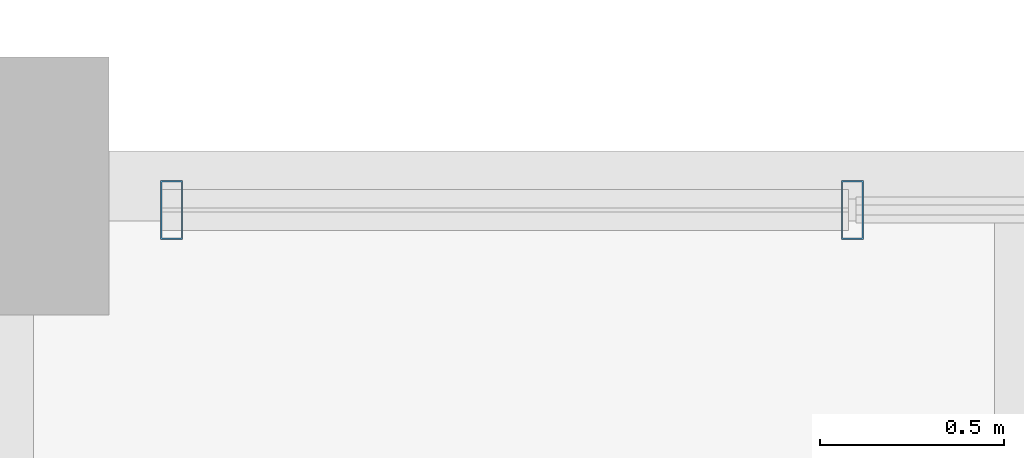
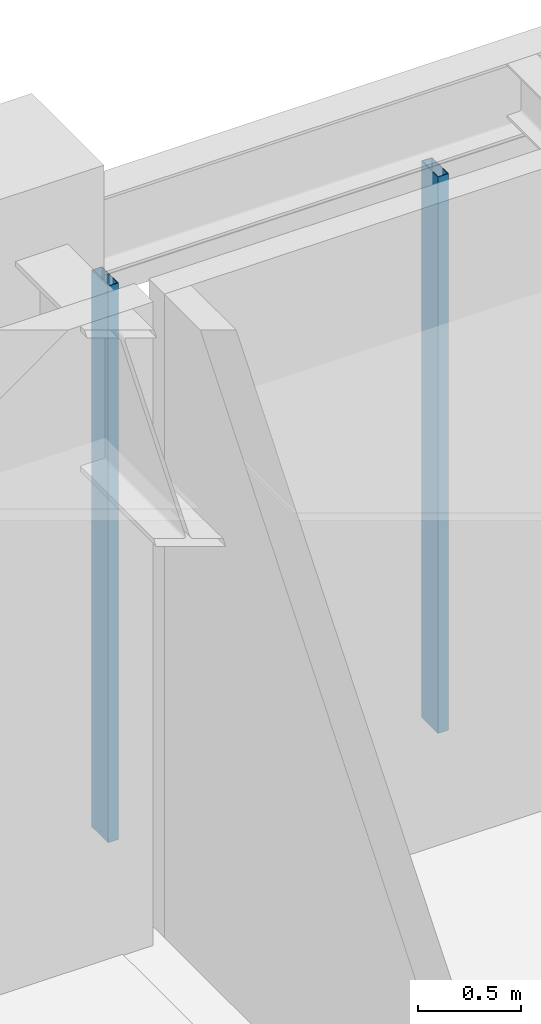
# One storey, part 36 of 56: 2 members, 1 element without a shape of its own.
"""IFC4 building model written with IfcOpenShell, lengths in metres."""

from ifc_helpers import new_model, si_unit, direction, frame, origin, origin_2d, place, context, subcontext, project, spatial, hollow_rectangle, extrude, material, material_profile, profile_set, type_object, element, aggregate, save


model = new_model("IFC4")

# Units and contexts
model_context = context("Model", 3, precision=1e-05, world=origin(), true_north=direction((0.0, 1.0)))
body_context = subcontext(model_context, "Body", "Model", "MODEL_VIEW")
ifc_project = project(units=[si_unit("LENGTHUNIT", "METRE"), si_unit("AREAUNIT", "SQUARE_METRE"), si_unit("VOLUMEUNIT", "CUBIC_METRE"), si_unit("PLANEANGLEUNIT", "RADIAN"), si_unit("MASSUNIT", "GRAM", prefix="KILO"), si_unit("THERMODYNAMICTEMPERATUREUNIT", "KELVIN"), si_unit("POWERUNIT", "WATT")], contexts=[model_context])

# Site, building, storey
site_placement = place(None, origin())
site = spatial("IfcSite", under=ifc_project, at=site_placement, CompositionType="ELEMENT")
building_placement = place(site_placement, origin())
building = spatial("IfcBuilding", under=site, at=building_placement, Name="Tepalcoro Natatorium and Aquatics Centre", CompositionType="ELEMENT")
storey_placement = place(building_placement, frame((0.0, 0.0, 14.800048828125)))
storey = spatial("IfcBuildingStorey", under=building, at=storey_placement, Name="L03", CompositionType="ELEMENT", Elevation=14.800048828125)

# Curtain wall, members
ifc_material = material(Name="Bronze-Anodised Extruded Aluminium Alloy EN AW-6063 T6", Category="aluminium")
curtain_wall_type = type_object("IfcCurtainWallType", Name="CW_V2_DIVING", PredefinedType="USERDEFINED", material=ifc_material)
curtain_wall_placement = place(storey_placement, origin())
curtain_wall = element("IfcCurtainWall", 1, at=curtain_wall_placement, inside=storey, type_object=curtain_wall_type, Name="V5 L03 N Unitised Curtain Wall Bay 6", ObjectType="FACETED SOLAR GLAZING", PredefinedType="USERDEFINED")
ifc_material_profile = material_profile(ifc_material, hollow_rectangle(XDim=0.06005859375, YDim=0.159912109375, WallThickness=0.00390625, at=origin_2d()), Name="AL60X160X4")
ifc_profile_set = profile_set([ifc_material_profile], Name="Bronze-Anodised Extruded Aluminium Alloy EN AW-6063 T6")
member_type = type_object("IfcMemberType", Name="CW_MUL_60x160", PredefinedType="MULLION", material=ifc_profile_set)
member_1_placement = place(storey_placement, frame((151.02001953125, 117.93505859375, 0.02001953125), z_axis=(0.0, 0.0, 1.0), x_axis=(1.0, 0.0, 0.0)))
member_1 = element("IfcMember", 2, at=member_1_placement, type_object=member_type, Name="CW_V2_DIVING Curtain Wall Mullion", PredefinedType="MULLION", context=body_context, shape_type="SweptSolid", body=[
    extrude(hollow_rectangle(XDim=0.06005859375, YDim=0.159912109375, WallThickness=0.00390625, at=origin_2d()), origin(), (0.0, 0.0, 1.0), 3.2900390625),
])
member_2_placement = place(storey_placement, frame((152.864990234375, 117.93505859375, 0.02001953125), z_axis=(0.0, 0.0, 1.0), x_axis=(1.0, 0.0, 0.0)))
member_2 = element("IfcMember", 3, at=member_2_placement, type_object=member_type, Name="CW_V2_DIVING Curtain Wall Mullion", PredefinedType="MULLION", context=body_context, shape_type="SweptSolid", body=[
    extrude(hollow_rectangle(XDim=0.06005859375, YDim=0.159912109375, WallThickness=0.00390625, at=origin_2d()), origin(), (0.0, 0.0, 1.0), 3.2900390625),
])
aggregate(curtain_wall, [member_1, member_2])

save(model, "model.ifc")
